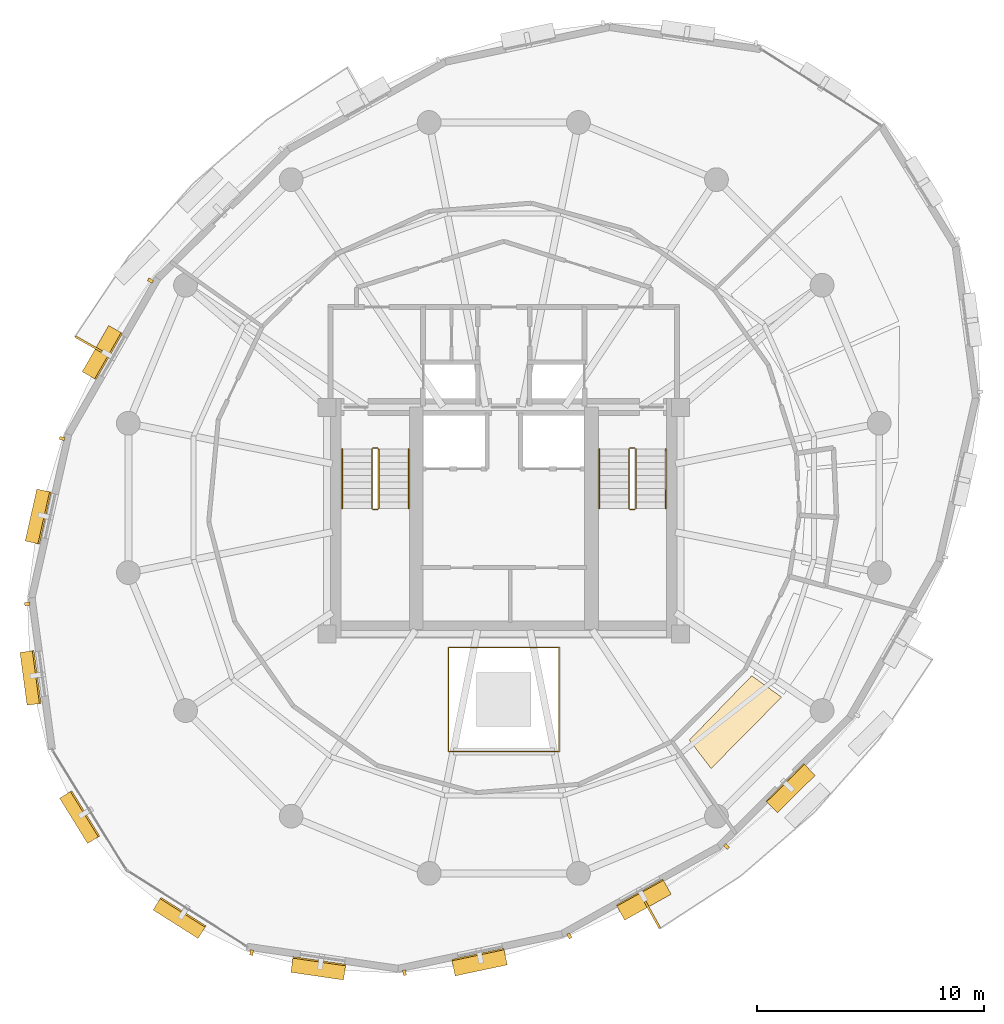
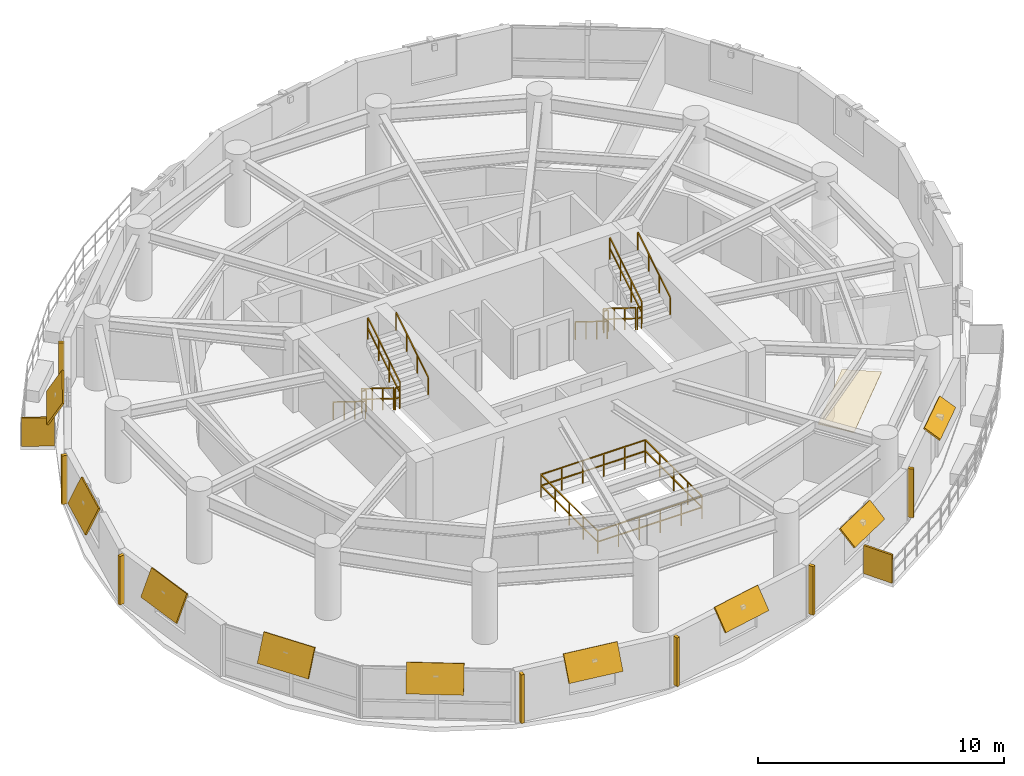
# One storey, part 11 of 12: 18 shading devices, 13 railings, 1 covering.
"""IFC4 building model written with IfcOpenShell, lengths in metres."""

from ifc_helpers import new_model, si_unit, direction, frame, origin, origin_2d, place, context, subcontext, project, spatial, polyline, rectangle, outline, extrude, material, layer, layer_set, type_object, element, save


model = new_model("IFC4")

# Units and contexts
model_context = context("Model", 3, precision=1e-05, world=origin(), true_north=direction((0.0, 1.0)))
body_context = subcontext(model_context, "Body", "Model", "MODEL_VIEW")
ifc_project = project(units=[si_unit("LENGTHUNIT", "METRE"), si_unit("AREAUNIT", "SQUARE_METRE"), si_unit("VOLUMEUNIT", "CUBIC_METRE"), si_unit("PLANEANGLEUNIT", "RADIAN"), si_unit("MASSUNIT", "GRAM", prefix="KILO"), si_unit("THERMODYNAMICTEMPERATUREUNIT", "KELVIN"), si_unit("POWERUNIT", "WATT")], contexts=[model_context])

# Site, building, storey
site_placement = place(None, origin())
site = spatial("IfcSite", under=ifc_project, at=site_placement, CompositionType="ELEMENT")
building_placement = place(site_placement, origin())
building = spatial("IfcBuilding", under=site, at=building_placement, Name="Ocrelia Relay Tower", CompositionType="ELEMENT")
storey_placement = place(building_placement, frame((0.0, 0.0, 216.800048828125)))
storey = spatial("IfcBuildingStorey", under=building, at=storey_placement, Name="L53", CompositionType="ELEMENT", Elevation=216.800048828125)

# Covering
ifc_material_1 = material(Name="Mineral-fiber acoustic ceiling tile", Category="gypsum")
ifc_layer_1 = layer(ifc_material_1, 0.0400390625, Name="Mineral-fiber acoustic ceiling tile")
ifc_layer_set_1 = layer_set([ifc_layer_1], Name="Mineral-fiber acoustic ceiling tile")
covering_type = type_object("IfcCoveringType", Name="COV-CEIL-ACOUSTIC", PredefinedType="CEILING", material=ifc_layer_set_1)
covering_placement = place(storey_placement, frame((0.0, 0.0, 2.369873046875)))
element("IfcCovering", 1, at=covering_placement, inside=storey, type_object=covering_type, Name="L53 Staff Wellness Room Suspended Ceiling 1", PredefinedType="CEILING", context=body_context, shape_type="SweptSolid", body=[
    extrude(outline(polyline([(42.190673828125, 15.306396484375), (43.152587890625, 14.050537109375), (46.265380859375, 17.20263671875), (44.945556640625, 18.149169921875), (42.190673828125, 15.306396484375)])), origin(), (0.0, 0.0, 1.0), 0.0400390625),
])

# Railings
ifc_material_2 = material(Name="Steel S355 atrium balustrade", Category="steel")
railing_type_1 = type_object("IfcRailingType", Name="RL-INT-GUARD-115", PredefinedType="GUARDRAIL", material=ifc_material_2)
railing_1_placement = place(storey_placement, frame((31.550048828125, 14.800048828125, 0.0)))
element("IfcRailing", 2, at=railing_1_placement, inside=storey, type_object=railing_type_1, Name="L53 Multi-Zone Interior Atrium Guard", PredefinedType="GUARDRAIL", context=body_context, shape_type="SweptSolid", body=[
    extrude(rectangle(XDim=0.048095703125, YDim=0.048095703125, at=origin_2d()), frame((0.0, 0.0, 1.1259765625), z_axis=(1.0, 0.0, 0.0), x_axis=(0.0, 1.0, 0.0)), (0.0, 0.0, 1.0), 4.89990234375),
    extrude(rectangle(XDim=0.048095703125, YDim=0.048095703125, at=origin_2d()), frame((0.0, 0.0, 0.574951171875), z_axis=(1.0, 0.0, 0.0), x_axis=(0.0, 1.0, 0.0)), (0.0, 0.0, 1.0), 4.89990234375),
    extrude(rectangle(XDim=0.048095703125, YDim=0.048095703125, at=origin_2d()), frame((4.89990234375, 0.0, 1.1259765625), z_axis=(0.0, 1.0, 0.0), x_axis=(-1.0, 0.0, 0.0)), (0.0, 0.0, 1.0), 4.599853515625),
    extrude(rectangle(XDim=0.048095703125, YDim=0.048095703125, at=origin_2d()), frame((4.89990234375, 0.0, 0.574951171875), z_axis=(0.0, 1.0, 0.0), x_axis=(-1.0, 0.0, 0.0)), (0.0, 0.0, 1.0), 4.599853515625),
    extrude(rectangle(XDim=0.048095703125, YDim=0.048095703125, at=origin_2d()), frame((4.89990234375, 4.599853515625, 1.1259765625), z_axis=(-1.0, 0.0, 0.0), x_axis=(0.0, -1.0, 0.0)), (0.0, 0.0, 1.0), 4.89990234375),
    extrude(rectangle(XDim=0.048095703125, YDim=0.048095703125, at=origin_2d()), frame((4.89990234375, 4.599853515625, 0.574951171875), z_axis=(-1.0, 0.0, 0.0), x_axis=(0.0, -1.0, 0.0)), (0.0, 0.0, 1.0), 4.89990234375),
    extrude(rectangle(XDim=0.048095703125, YDim=0.048095703125, at=origin_2d()), frame((0.0, 4.599853515625, 1.1259765625), z_axis=(0.0, -1.0, 0.0), x_axis=(1.0, 0.0, 0.0)), (0.0, 0.0, 1.0), 4.599853515625),
    extrude(rectangle(XDim=0.048095703125, YDim=0.048095703125, at=origin_2d()), frame((0.0, 4.599853515625, 0.574951171875), z_axis=(0.0, -1.0, 0.0), x_axis=(1.0, 0.0, 0.0)), (0.0, 0.0, 1.0), 4.599853515625),
    extrude(rectangle(XDim=0.0419921875, YDim=0.0419921875, at=origin_2d()), origin(), (0.0, 0.0, 1.0), 1.101806640625),
    extrude(rectangle(XDim=0.0419921875, YDim=0.0419921875, at=origin_2d()), frame((0.97998046875, 0.0, 0.0)), (0.0, 0.0, 1.0), 1.101806640625),
    extrude(rectangle(XDim=0.0419921875, YDim=0.0419921875, at=origin_2d()), frame((1.9599609375, 0.0, 0.0)), (0.0, 0.0, 1.0), 1.101806640625),
    extrude(rectangle(XDim=0.0419921875, YDim=0.0419921875, at=origin_2d()), frame((2.93994140625, 0.0, 0.0)), (0.0, 0.0, 1.0), 1.101806640625),
    extrude(rectangle(XDim=0.0419921875, YDim=0.0419921875, at=origin_2d()), frame((3.919921875, 0.0, 0.0)), (0.0, 0.0, 1.0), 1.101806640625),
    extrude(rectangle(XDim=0.0419921875, YDim=0.0419921875, at=origin_2d()), frame((4.89990234375, 0.0, 0.0)), (0.0, 0.0, 1.0), 1.101806640625),
    extrude(rectangle(XDim=0.0419921875, YDim=0.0419921875, at=origin_2d()), frame((4.89990234375, 1.14990234375, 0.0)), (0.0, 0.0, 1.0), 1.101806640625),
    extrude(rectangle(XDim=0.0419921875, YDim=0.0419921875, at=origin_2d()), frame((4.89990234375, 2.2998046875, 0.0)), (0.0, 0.0, 1.0), 1.101806640625),
    extrude(rectangle(XDim=0.0419921875, YDim=0.0419921875, at=origin_2d()), frame((4.89990234375, 3.449951171875, 0.0)), (0.0, 0.0, 1.0), 1.101806640625),
    extrude(rectangle(XDim=0.0419921875, YDim=0.0419921875, at=origin_2d()), frame((4.89990234375, 4.599853515625, 0.0)), (0.0, 0.0, 1.0), 1.101806640625),
    extrude(rectangle(XDim=0.0419921875, YDim=0.0419921875, at=origin_2d()), frame((3.919921875, 4.599853515625, 0.0)), (0.0, 0.0, 1.0), 1.101806640625),
    extrude(rectangle(XDim=0.0419921875, YDim=0.0419921875, at=origin_2d()), frame((2.93994140625, 4.599853515625, 0.0)), (0.0, 0.0, 1.0), 1.101806640625),
    extrude(rectangle(XDim=0.0419921875, YDim=0.0419921875, at=origin_2d()), frame((1.9599609375, 4.599853515625, 0.0)), (0.0, 0.0, 1.0), 1.101806640625),
    extrude(rectangle(XDim=0.0419921875, YDim=0.0419921875, at=origin_2d()), frame((0.97998046875, 4.599853515625, 0.0)), (0.0, 0.0, 1.0), 1.101806640625),
    extrude(rectangle(XDim=0.0419921875, YDim=0.0419921875, at=origin_2d()), frame((0.0, 4.599853515625, 0.0)), (0.0, 0.0, 1.0), 1.101806640625),
    extrude(rectangle(XDim=0.0419921875, YDim=0.0419921875, at=origin_2d()), frame((0.0, 3.449951171875, 0.0)), (0.0, 0.0, 1.0), 1.101806640625),
    extrude(rectangle(XDim=0.0419921875, YDim=0.0419921875, at=origin_2d()), frame((0.0, 2.2998046875, 0.0)), (0.0, 0.0, 1.0), 1.101806640625),
    extrude(rectangle(XDim=0.0419921875, YDim=0.0419921875, at=origin_2d()), frame((0.0, 1.14990234375, 0.0)), (0.0, 0.0, 1.0), 1.101806640625),
])
ifc_material_3 = material(Name="Steel S355 balustrade", Category="steel")
railing_type_2 = type_object("IfcRailingType", Name="RL-STAIR-GUARD", PredefinedType="GUARDRAIL", material=ifc_material_3)
railing_2_placement = place(storey_placement, frame((28.179931640625, 28.14990234375, 0.179931640625)))
element("IfcRailing", 3, at=railing_2_placement, inside=storey, type_object=railing_type_2, Name="L53 ST1 stair guard 1", PredefinedType="GUARDRAIL", context=body_context, shape_type="SweptSolid", body=[
    extrude(rectangle(XDim=0.048095703125, YDim=0.048095703125, at=origin_2d()), frame((0.0, 0.0, 1.076171875), z_axis=(0.0, -0.849610693518, 0.52741034258), x_axis=(1.0, 0.0, 0.0)), (0.0, 0.0, 1.0), 3.07177734375),
    extrude(rectangle(XDim=0.048095703125, YDim=0.048095703125, at=origin_2d()), frame((0.0, 0.0, 0.550048828125), z_axis=(0.0, -0.849610693518, 0.52741034258), x_axis=(1.0, 0.0, 0.0)), (0.0, 0.0, 1.0), 3.07177734375),
    extrude(rectangle(XDim=0.0419921875, YDim=0.0419921875, at=origin_2d()), origin(), (0.0, 0.0, 1.0), 1.052001953125),
    extrude(rectangle(XDim=0.0419921875, YDim=0.0419921875, at=origin_2d()), frame((0.0, -0.869873046875, 0.5400390625)), (0.0, 0.0, 1.0), 1.052001953125),
    extrude(rectangle(XDim=0.0419921875, YDim=0.0419921875, at=origin_2d()), frame((0.0, -1.739990234375, 1.080078125)), (0.0, 0.0, 1.0), 1.052001953125),
    extrude(rectangle(XDim=0.0419921875, YDim=0.0419921875, at=origin_2d()), frame((0.0, -2.60986328125, 1.6201171875)), (0.0, 0.0, 1.0), 1.052001953125),
])
railing_3_placement = place(storey_placement, frame((28.22998046875, 25.489990234375, 1.800048828125)))
element("IfcRailing", 4, at=railing_3_placement, inside=storey, type_object=railing_type_2, Name="L53 ST1 stair guard 2", PredefinedType="GUARDRAIL", context=body_context, shape_type="SweptSolid", body=[
    extrude(rectangle(XDim=0.048095703125, YDim=0.048095703125, at=origin_2d()), frame((0.0, 0.0, 1.076171875), z_axis=(1.0, 0.0, 0.0), x_axis=(0.0, 1.0, 0.0)), (0.0, 0.0, 1.0), 0.199951171875),
    extrude(rectangle(XDim=0.048095703125, YDim=0.048095703125, at=origin_2d()), frame((0.0, 0.0, 0.550048828125), z_axis=(1.0, 0.0, 0.0), x_axis=(0.0, 1.0, 0.0)), (0.0, 0.0, 1.0), 0.199951171875),
    extrude(rectangle(XDim=0.0419921875, YDim=0.0419921875, at=origin_2d()), origin(), (0.0, 0.0, 1.0), 1.052001953125),
    extrude(rectangle(XDim=0.0419921875, YDim=0.0419921875, at=origin_2d()), frame((0.199951171875, 0.0, 0.0)), (0.0, 0.0, 1.0), 1.052001953125),
])
railing_4_placement = place(storey_placement, frame((28.47998046875, 25.5400390625, 1.97998046875)))
element("IfcRailing", 5, at=railing_4_placement, inside=storey, type_object=railing_type_2, Name="L53 ST1 stair guard 3", PredefinedType="GUARDRAIL", context=body_context, shape_type="SweptSolid", body=[
    extrude(rectangle(XDim=0.048095703125, YDim=0.048095703125, at=origin_2d()), frame((0.0, 0.0, 1.076171875), z_axis=(0.0, 0.849646306263, 0.527352969322), x_axis=(-1.0, 0.0, 0.0)), (0.0, 0.0, 1.0), 3.07177734375),
    extrude(rectangle(XDim=0.048095703125, YDim=0.048095703125, at=origin_2d()), frame((0.0, 0.0, 0.550048828125), z_axis=(0.0, 0.849646306263, 0.527352969322), x_axis=(-1.0, 0.0, 0.0)), (0.0, 0.0, 1.0), 3.07177734375),
    extrude(rectangle(XDim=0.0419921875, YDim=0.0419921875, at=origin_2d()), origin(), (0.0, 0.0, 1.0), 1.052001953125),
    extrude(rectangle(XDim=0.0419921875, YDim=0.0419921875, at=origin_2d()), frame((0.0, 0.869873046875, 0.5400390625)), (0.0, 0.0, 1.0), 1.052001953125),
    extrude(rectangle(XDim=0.0419921875, YDim=0.0419921875, at=origin_2d()), frame((0.0, 1.739990234375, 1.079833984375)), (0.0, 0.0, 1.0), 1.052001953125),
    extrude(rectangle(XDim=0.0419921875, YDim=0.0419921875, at=origin_2d()), frame((0.0, 2.60986328125, 1.619873046875)), (0.0, 0.0, 1.0), 1.052001953125),
])
railing_5_placement = place(storey_placement, frame((28.22998046875, 28.199951171875, 0.0)))
element("IfcRailing", 6, at=railing_5_placement, inside=storey, type_object=railing_type_2, Name="L53 ST1 stair guard 4", PredefinedType="GUARDRAIL", context=body_context, shape_type="SweptSolid", body=[
    extrude(rectangle(XDim=0.048095703125, YDim=0.048095703125, at=origin_2d()), frame((0.0, 0.0, 1.076171875), z_axis=(1.0, 0.0, 0.0), x_axis=(0.0, 1.0, 0.0)), (0.0, 0.0, 1.0), 0.199951171875),
    extrude(rectangle(XDim=0.048095703125, YDim=0.048095703125, at=origin_2d()), frame((0.0, 0.0, 0.550048828125), z_axis=(1.0, 0.0, 0.0), x_axis=(0.0, 1.0, 0.0)), (0.0, 0.0, 1.0), 0.199951171875),
    extrude(rectangle(XDim=0.0419921875, YDim=0.0419921875, at=origin_2d()), origin(), (0.0, 0.0, 1.0), 1.052001953125),
    extrude(rectangle(XDim=0.0419921875, YDim=0.0419921875, at=origin_2d()), frame((0.199951171875, 0.0, 0.0)), (0.0, 0.0, 1.0), 1.052001953125),
])
railing_6_placement = place(storey_placement, frame((39.530029296875, 28.14990234375, 0.179931640625)))
element("IfcRailing", 7, at=railing_6_placement, inside=storey, type_object=railing_type_2, Name="L53 ST2 stair guard 1", PredefinedType="GUARDRAIL", context=body_context, shape_type="SweptSolid", body=[
    extrude(rectangle(XDim=0.048095703125, YDim=0.048095703125, at=origin_2d()), frame((0.0, 0.0, 1.076171875), z_axis=(0.0, -0.849610693518, 0.52741034258), x_axis=(1.0, 0.0, 0.0)), (0.0, 0.0, 1.0), 3.07177734375),
    extrude(rectangle(XDim=0.048095703125, YDim=0.048095703125, at=origin_2d()), frame((0.0, 0.0, 0.550048828125), z_axis=(0.0, -0.849610693518, 0.52741034258), x_axis=(1.0, 0.0, 0.0)), (0.0, 0.0, 1.0), 3.07177734375),
    extrude(rectangle(XDim=0.0419921875, YDim=0.0419921875, at=origin_2d()), origin(), (0.0, 0.0, 1.0), 1.052001953125),
    extrude(rectangle(XDim=0.0419921875, YDim=0.0419921875, at=origin_2d()), frame((0.0, -0.869873046875, 0.5400390625)), (0.0, 0.0, 1.0), 1.052001953125),
    extrude(rectangle(XDim=0.0419921875, YDim=0.0419921875, at=origin_2d()), frame((0.0, -1.739990234375, 1.080078125)), (0.0, 0.0, 1.0), 1.052001953125),
    extrude(rectangle(XDim=0.0419921875, YDim=0.0419921875, at=origin_2d()), frame((0.0, -2.60986328125, 1.6201171875)), (0.0, 0.0, 1.0), 1.052001953125),
])
railing_7_placement = place(storey_placement, frame((39.580078125, 25.489990234375, 1.800048828125)))
element("IfcRailing", 8, at=railing_7_placement, inside=storey, type_object=railing_type_2, Name="L53 ST2 stair guard 2", PredefinedType="GUARDRAIL", context=body_context, shape_type="SweptSolid", body=[
    extrude(rectangle(XDim=0.048095703125, YDim=0.048095703125, at=origin_2d()), frame((0.0, 0.0, 1.076171875), z_axis=(1.0, 0.0, 0.0), x_axis=(0.0, 1.0, 0.0)), (0.0, 0.0, 1.0), 0.199951171875),
    extrude(rectangle(XDim=0.048095703125, YDim=0.048095703125, at=origin_2d()), frame((0.0, 0.0, 0.550048828125), z_axis=(1.0, 0.0, 0.0), x_axis=(0.0, 1.0, 0.0)), (0.0, 0.0, 1.0), 0.199951171875),
    extrude(rectangle(XDim=0.0419921875, YDim=0.0419921875, at=origin_2d()), origin(), (0.0, 0.0, 1.0), 1.052001953125),
    extrude(rectangle(XDim=0.0419921875, YDim=0.0419921875, at=origin_2d()), frame((0.199951171875, 0.0, 0.0)), (0.0, 0.0, 1.0), 1.052001953125),
])
railing_8_placement = place(storey_placement, frame((39.830078125, 25.5400390625, 1.97998046875)))
element("IfcRailing", 9, at=railing_8_placement, inside=storey, type_object=railing_type_2, Name="L53 ST2 stair guard 3", PredefinedType="GUARDRAIL", context=body_context, shape_type="SweptSolid", body=[
    extrude(rectangle(XDim=0.048095703125, YDim=0.048095703125, at=origin_2d()), frame((0.0, 0.0, 1.076171875), z_axis=(0.0, 0.849646306263, 0.527352969322), x_axis=(-1.0, 0.0, 0.0)), (0.0, 0.0, 1.0), 3.07177734375),
    extrude(rectangle(XDim=0.048095703125, YDim=0.048095703125, at=origin_2d()), frame((0.0, 0.0, 0.550048828125), z_axis=(0.0, 0.849646306263, 0.527352969322), x_axis=(-1.0, 0.0, 0.0)), (0.0, 0.0, 1.0), 3.07177734375),
    extrude(rectangle(XDim=0.0419921875, YDim=0.0419921875, at=origin_2d()), origin(), (0.0, 0.0, 1.0), 1.052001953125),
    extrude(rectangle(XDim=0.0419921875, YDim=0.0419921875, at=origin_2d()), frame((0.0, 0.869873046875, 0.5400390625)), (0.0, 0.0, 1.0), 1.052001953125),
    extrude(rectangle(XDim=0.0419921875, YDim=0.0419921875, at=origin_2d()), frame((0.0, 1.739990234375, 1.079833984375)), (0.0, 0.0, 1.0), 1.052001953125),
    extrude(rectangle(XDim=0.0419921875, YDim=0.0419921875, at=origin_2d()), frame((0.0, 2.60986328125, 1.619873046875)), (0.0, 0.0, 1.0), 1.052001953125),
])
railing_9_placement = place(storey_placement, frame((39.580078125, 28.199951171875, 0.0)))
element("IfcRailing", 10, at=railing_9_placement, inside=storey, type_object=railing_type_2, Name="L53 ST2 stair guard 4", PredefinedType="GUARDRAIL", context=body_context, shape_type="SweptSolid", body=[
    extrude(rectangle(XDim=0.048095703125, YDim=0.048095703125, at=origin_2d()), frame((0.0, 0.0, 1.076171875), z_axis=(1.0, 0.0, 0.0), x_axis=(0.0, 1.0, 0.0)), (0.0, 0.0, 1.0), 0.199951171875),
    extrude(rectangle(XDim=0.048095703125, YDim=0.048095703125, at=origin_2d()), frame((0.0, 0.0, 0.550048828125), z_axis=(1.0, 0.0, 0.0), x_axis=(0.0, 1.0, 0.0)), (0.0, 0.0, 1.0), 0.199951171875),
    extrude(rectangle(XDim=0.0419921875, YDim=0.0419921875, at=origin_2d()), origin(), (0.0, 0.0, 1.0), 1.052001953125),
    extrude(rectangle(XDim=0.0419921875, YDim=0.0419921875, at=origin_2d()), frame((0.199951171875, 0.0, 0.0)), (0.0, 0.0, 1.0), 1.052001953125),
])
ifc_material_4 = material(Name="Steel S355 tubular handrail", Category="steel")
railing_type_3 = type_object("IfcRailingType", Name="RL-STAIR-HAND", PredefinedType="HANDRAIL", material=ifc_material_4)
railing_10_placement = place(storey_placement, frame((26.860107421875, 28.14990234375, 0.179931640625)))
element("IfcRailing", 11, at=railing_10_placement, inside=storey, type_object=railing_type_3, Name="L53 ST1 stair handrail 1", PredefinedType="HANDRAIL", context=body_context, shape_type="SweptSolid", body=[
    extrude(rectangle(XDim=0.048095703125, YDim=0.048095703125, at=origin_2d()), frame((0.0, 0.0, 0.8759765625), z_axis=(0.0, -0.849610693518, 0.52741034258), x_axis=(1.0, 0.0, 0.0)), (0.0, 0.0, 1.0), 3.07177734375),
    extrude(rectangle(XDim=0.0419921875, YDim=0.0419921875, at=origin_2d()), origin(), (0.0, 0.0, 1.0), 0.851806640625),
    extrude(rectangle(XDim=0.0419921875, YDim=0.0419921875, at=origin_2d()), frame((0.0, -0.869873046875, 0.5400390625)), (0.0, 0.0, 1.0), 0.851806640625),
    extrude(rectangle(XDim=0.0419921875, YDim=0.0419921875, at=origin_2d()), frame((0.0, -1.739990234375, 1.080078125)), (0.0, 0.0, 1.0), 0.851806640625),
    extrude(rectangle(XDim=0.0419921875, YDim=0.0419921875, at=origin_2d()), frame((0.0, -2.60986328125, 1.6201171875)), (0.0, 0.0, 1.0), 0.851806640625),
])
railing_11_placement = place(storey_placement, frame((29.800048828125, 25.5400390625, 1.97998046875)))
element("IfcRailing", 12, at=railing_11_placement, inside=storey, type_object=railing_type_3, Name="L53 ST1 stair handrail 2", PredefinedType="HANDRAIL", context=body_context, shape_type="SweptSolid", body=[
    extrude(rectangle(XDim=0.048095703125, YDim=0.048095703125, at=origin_2d()), frame((0.0, 0.0, 0.8759765625), z_axis=(0.0, 0.849646306263, 0.527352969322), x_axis=(-1.0, 0.0, 0.0)), (0.0, 0.0, 1.0), 3.07177734375),
    extrude(rectangle(XDim=0.0419921875, YDim=0.0419921875, at=origin_2d()), origin(), (0.0, 0.0, 1.0), 0.851806640625),
    extrude(rectangle(XDim=0.0419921875, YDim=0.0419921875, at=origin_2d()), frame((0.0, 0.869873046875, 0.5400390625)), (0.0, 0.0, 1.0), 0.851806640625),
    extrude(rectangle(XDim=0.0419921875, YDim=0.0419921875, at=origin_2d()), frame((0.0, 1.739990234375, 1.079833984375)), (0.0, 0.0, 1.0), 0.851806640625),
    extrude(rectangle(XDim=0.0419921875, YDim=0.0419921875, at=origin_2d()), frame((0.0, 2.60986328125, 1.619873046875)), (0.0, 0.0, 1.0), 0.851806640625),
])
railing_12_placement = place(storey_placement, frame((38.2099609375, 28.14990234375, 0.179931640625)))
element("IfcRailing", 13, at=railing_12_placement, inside=storey, type_object=railing_type_3, Name="L53 ST2 stair handrail 1", PredefinedType="HANDRAIL", context=body_context, shape_type="SweptSolid", body=[
    extrude(rectangle(XDim=0.048095703125, YDim=0.048095703125, at=origin_2d()), frame((0.0, 0.0, 0.8759765625), z_axis=(0.0, -0.849610693518, 0.52741034258), x_axis=(1.0, 0.0, 0.0)), (0.0, 0.0, 1.0), 3.07177734375),
    extrude(rectangle(XDim=0.0419921875, YDim=0.0419921875, at=origin_2d()), origin(), (0.0, 0.0, 1.0), 0.851806640625),
    extrude(rectangle(XDim=0.0419921875, YDim=0.0419921875, at=origin_2d()), frame((0.0, -0.869873046875, 0.5400390625)), (0.0, 0.0, 1.0), 0.851806640625),
    extrude(rectangle(XDim=0.0419921875, YDim=0.0419921875, at=origin_2d()), frame((0.0, -1.739990234375, 1.080078125)), (0.0, 0.0, 1.0), 0.851806640625),
    extrude(rectangle(XDim=0.0419921875, YDim=0.0419921875, at=origin_2d()), frame((0.0, -2.60986328125, 1.6201171875)), (0.0, 0.0, 1.0), 0.851806640625),
])
railing_13_placement = place(storey_placement, frame((41.14990234375, 25.5400390625, 1.97998046875)))
element("IfcRailing", 14, at=railing_13_placement, inside=storey, type_object=railing_type_3, Name="L53 ST2 stair handrail 2", PredefinedType="HANDRAIL", context=body_context, shape_type="SweptSolid", body=[
    extrude(rectangle(XDim=0.048095703125, YDim=0.048095703125, at=origin_2d()), frame((0.0, 0.0, 0.8759765625), z_axis=(0.0, 0.849646306263, 0.527352969322), x_axis=(-1.0, 0.0, 0.0)), (0.0, 0.0, 1.0), 3.07177734375),
    extrude(rectangle(XDim=0.0419921875, YDim=0.0419921875, at=origin_2d()), origin(), (0.0, 0.0, 1.0), 0.851806640625),
    extrude(rectangle(XDim=0.0419921875, YDim=0.0419921875, at=origin_2d()), frame((0.0, 0.869873046875, 0.5400390625)), (0.0, 0.0, 1.0), 0.851806640625),
    extrude(rectangle(XDim=0.0419921875, YDim=0.0419921875, at=origin_2d()), frame((0.0, 1.739990234375, 1.079833984375)), (0.0, 0.0, 1.0), 0.851806640625),
    extrude(rectangle(XDim=0.0419921875, YDim=0.0419921875, at=origin_2d()), frame((0.0, 2.60986328125, 1.619873046875)), (0.0, 0.0, 1.0), 0.851806640625),
])

# Shading devices
ifc_material_5 = material(Name="Perforated oxide terracotta solar screen", Category="masonry")
ifc_layer_2 = layer(ifc_material_5, 0.090087890625, Name="Perforated oxide terracotta solar screen")
ifc_layer_set_2 = layer_set([ifc_layer_2], Name="Perforated oxide terracotta solar screen")
shading_device_type_1 = type_object("IfcShadingDeviceType", Name="SH-BALC-SCREEN", PredefinedType="USERDEFINED", material=ifc_layer_set_2)
for number, where, z_axis, x_axis, name in (
    (15, (15.67333984375, 32.78759765625, 0.0), (0.0, 0.0, 1.0), (-0.868600619707, 0.495512828739, 0.0), "L53 Balcony Perforated Terracotta Screen B1-2"),
    (16, (40.563232421875, 7.591796875, 0.0), (0.0, 0.0, 1.0), (0.484844512064, -0.874600365379, 0.0), "L53 Balcony Perforated Terracotta Screen B2-1"),
):
    element("IfcShadingDevice", number, at=place(storey_placement, frame(where, z_axis=z_axis, x_axis=x_axis)), inside=storey, type_object=shading_device_type_1, Name=name, ObjectType="SCREEN", PredefinedType="USERDEFINED", context=body_context, shape_type="SweptSolid", body=[
        extrude(rectangle(XDim=1.340087890625, YDim=0.090087890625, at=origin_2d()), origin(), (0.0, 0.0, 1.0), 1.39990234375),
    ])
ifc_material_6 = material(Name="Extruded oxide terracotta vertical baguette", Category="masonry")
shading_device_type_2 = type_object("IfcShadingDeviceType", Name="SH-TERR-BAGUETTE", PredefinedType="USERDEFINED", material=ifc_material_6)
for number, where, z_axis, x_axis, name in (
    (17, (18.40185546875, 35.59130859375, 0.0751953125), (0.0, 0.0, 1.0), (-0.496843859187, -0.867839950445, 0.0), "L53 Oxide Terracotta Vertical Baguette 06"),
    (18, (14.505126953125, 28.6220703125, 0.0751953125), (0.0, 0.0, 1.0), (-0.219071172147, -0.975708881549, 0.0), "L53 Oxide Terracotta Vertical Baguette 07"),
    (19, (12.96533203125, 21.319580078125, 0.0751953125), (0.0, 0.0, 1.0), (0.13236376712, -0.9912012072, 0.0), "L53 Oxide Terracotta Vertical Baguette 08"),
    (20, (22.86376953125, 5.92919921875, 0.0751953125), (0.0, 0.0, 1.0), (0.989510431186, -0.144461436284, 0.0), "L53 Oxide Terracotta Vertical Baguette 11"),
    (21, (29.6162109375, 5.041748046875, 0.0751953125), (0.0, 0.0, 1.0), (0.978312051841, 0.207136499013, 0.0), "L53 Oxide Terracotta Vertical Baguette 12"),
    (22, (36.892333984375, 6.6650390625, 0.0751953125), (0.0, 0.0, 1.0), (0.873842907612, 0.48620836358, 0.0), "L53 Oxide Terracotta Vertical Baguette 13"),
    (23, (43.830078125, 10.6083984375, 0.0751953125), (0.0, 0.0, 1.0), (0.711412639885, 0.702774541238, 0.0), "L53 Oxide Terracotta Vertical Baguette 14"),
):
    element("IfcShadingDevice", number, at=place(storey_placement, frame(where, z_axis=z_axis, x_axis=x_axis)), inside=storey, type_object=shading_device_type_2, Name=name, ObjectType="BAGUETTE", PredefinedType="USERDEFINED", context=body_context, shape_type="SweptSolid", body=[
        extrude(rectangle(XDim=0.139892578125, YDim=0.239990234375, at=origin_2d()), origin(), (0.0, 0.0, 1.0), 2.409912109375),
    ])
ifc_material_7 = material(Name="Extruded oxide terracotta fin", Category="masonry")
ifc_layer_3 = layer(ifc_material_7, 0.080078125, Name="Extruded oxide terracotta fin")
ifc_layer_set_3 = layer_set([ifc_layer_3], Name="Extruded oxide terracotta fin")
shading_device_type_3 = type_object("IfcShadingDeviceType", Name="SH-VISOR-FIN-DEEP", PredefinedType="USERDEFINED", material=ifc_layer_set_3)
shading_device_1_placement = place(storey_placement, frame((16.30615234375, 32.400390625, 2.37939453125), z_axis=(-0.743884027764, 0.42587830965, 0.51503807491), x_axis=(-0.496843859187, -0.867839950445, 0.0)))
element("IfcShadingDevice", 24, at=shading_device_1_placement, inside=storey, type_object=shading_device_type_3, Name="L53 Canted Terracotta Sun-Visor Fin 06", ObjectType="FIN", PredefinedType="USERDEFINED", context=body_context, shape_type="SweptSolid", body=[
    extrude(rectangle(XDim=2.35009765625, YDim=1.23291015625, at=origin_2d()), origin(), (0.0, 0.0, 1.0), 0.080078125),
])
shading_device_2_placement = place(storey_placement, frame((13.478271484375, 25.167724609375, 2.38232421875), z_axis=(-0.878003838193, 0.197133933718, 0.436173672171), x_axis=(-0.219071172147, -0.975708881549, 0.0)))
element("IfcShadingDevice", 25, at=shading_device_2_placement, inside=storey, type_object=shading_device_type_3, Name="L53 Canted Terracotta Sun-Visor Fin 07", ObjectType="FIN", PredefinedType="USERDEFINED", context=body_context, shape_type="SweptSolid", body=[
    extrude(rectangle(XDim=2.35009765625, YDim=1.319091796875, at=origin_2d()), origin(), (0.0, 0.0, 1.0), 0.080078125),
])
shading_device_3_placement = place(storey_placement, frame((13.1416015625, 18.058837890625, 2.383544921875), z_axis=(-0.905084678109, -0.120863873739, 0.407693082449), x_axis=(0.13236376712, -0.9912012072, 0.0)))
element("IfcShadingDevice", 26, at=shading_device_3_placement, inside=storey, type_object=shading_device_type_3, Name="L53 Canted Terracotta Sun-Visor Fin 08", ObjectType="FIN", PredefinedType="USERDEFINED", context=body_context, shape_type="SweptSolid", body=[
    extrude(rectangle(XDim=2.35009765625, YDim=1.34912109375, at=origin_2d()), origin(), (0.0, 0.0, 1.0), 0.080078125),
])
shading_device_4_placement = place(storey_placement, frame((15.306884765625, 11.925537109375, 2.38330078125), z_axis=(-0.774336688403, -0.477670057915, 0.41501085379), x_axis=(0.525018043545, -0.851091096154, 0.0)))
element("IfcShadingDevice", 27, at=shading_device_4_placement, inside=storey, type_object=shading_device_type_3, Name="L53 Canted Terracotta Sun-Visor Fin 09", ObjectType="FIN", PredefinedType="USERDEFINED", context=body_context, shape_type="SweptSolid", body=[
    extrude(rectangle(XDim=2.35009765625, YDim=1.341064453125, at=origin_2d()), origin(), (0.0, 0.0, 1.0), 0.080078125),
])
shading_device_5_placement = place(storey_placement, frame((19.7041015625, 7.48779296875, 2.3818359375), z_axis=(-0.478380126722, -0.754682088918, 0.449007125805), x_axis=(0.844609167729, -0.535383370855, 0.0)))
element("IfcShadingDevice", 28, at=shading_device_5_placement, inside=storey, type_object=shading_device_type_3, Name="L53 Canted Terracotta Sun-Visor Fin 10", ObjectType="FIN", PredefinedType="USERDEFINED", context=body_context, shape_type="SweptSolid", body=[
    extrude(rectangle(XDim=2.35009765625, YDim=1.304931640625, at=origin_2d()), origin(), (0.0, 0.0, 1.0), 0.080078125),
])
shading_device_6_placement = place(storey_placement, frame((25.8154296875, 5.2666015625, 2.379638671875), z_axis=(-0.12436969112, -0.851888987482, 0.508740929096), x_axis=(0.989510431186, -0.144461436284, 0.0)))
element("IfcShadingDevice", 29, at=shading_device_6_placement, inside=storey, type_object=shading_device_type_3, Name="L53 Canted Terracotta Sun-Visor Fin 11", ObjectType="FIN", PredefinedType="USERDEFINED", context=body_context, shape_type="SweptSolid", body=[
    extrude(rectangle(XDim=2.35009765625, YDim=1.239990234375, at=origin_2d()), origin(), (0.0, 0.0, 1.0), 0.080078125),
])
ifc_layer_4 = layer(ifc_material_7, 0.080078125, Name="Extruded oxide terracotta fin")
ifc_layer_set_4 = layer_set([ifc_layer_4], Name="Extruded oxide terracotta fin")
shading_device_type_4 = type_object("IfcShadingDeviceType", Name="SH-VISOR-FIN-MED", PredefinedType="USERDEFINED", material=ifc_layer_set_4)
shading_device_7_placement = place(storey_placement, frame((32.920654296875, 5.53662109375, 2.3759765625), z_axis=(0.166012160898, -0.784080538834, 0.598044873781), x_axis=(0.978312051841, 0.207136499013, 0.0)))
element("IfcShadingDevice", 30, at=shading_device_7_placement, inside=storey, type_object=shading_device_type_4, Name="L53 Canted Terracotta Sun-Visor Fin 12", ObjectType="FIN", PredefinedType="USERDEFINED", context=body_context, shape_type="SweptSolid", body=[
    extrude(rectangle(XDim=2.35009765625, YDim=1.137939453125, at=origin_2d()), origin(), (0.0, 0.0, 1.0), 0.080078125),
])
shading_device_8_placement = place(storey_placement, frame((40.164306640625, 8.287841796875, 2.371337890625), z_axis=(0.340303406521, -0.611613745256, 0.714228407531), x_axis=(0.873842907612, 0.48620836358, 0.0)))
element("IfcShadingDevice", 31, at=shading_device_8_placement, inside=storey, type_object=shading_device_type_4, Name="L53 Canted Terracotta Sun-Visor Fin 13", ObjectType="FIN", PredefinedType="USERDEFINED", context=body_context, shape_type="SweptSolid", body=[
    extrude(rectangle(XDim=2.35009765625, YDim=0.989990234375, at=origin_2d()), origin(), (0.0, 0.0, 1.0), 0.080078125),
])
shading_device_9_placement = place(storey_placement, frame((46.645751953125, 13.198974609375, 2.36669921875), z_axis=(0.392274430535, -0.397096041207, 0.829720136676), x_axis=(0.711412639885, 0.702774541238, 0.0)))
element("IfcShadingDevice", 32, at=shading_device_9_placement, inside=storey, type_object=shading_device_type_4, Name="L53 Canted Terracotta Sun-Visor Fin 14", ObjectType="FIN", PredefinedType="USERDEFINED", context=body_context, shape_type="SweptSolid", body=[
    extrude(rectangle(XDim=2.35009765625, YDim=0.81494140625, at=origin_2d()), origin(), (0.0, 0.0, 1.0), 0.080078125),
])

save(model, "model.ifc")
